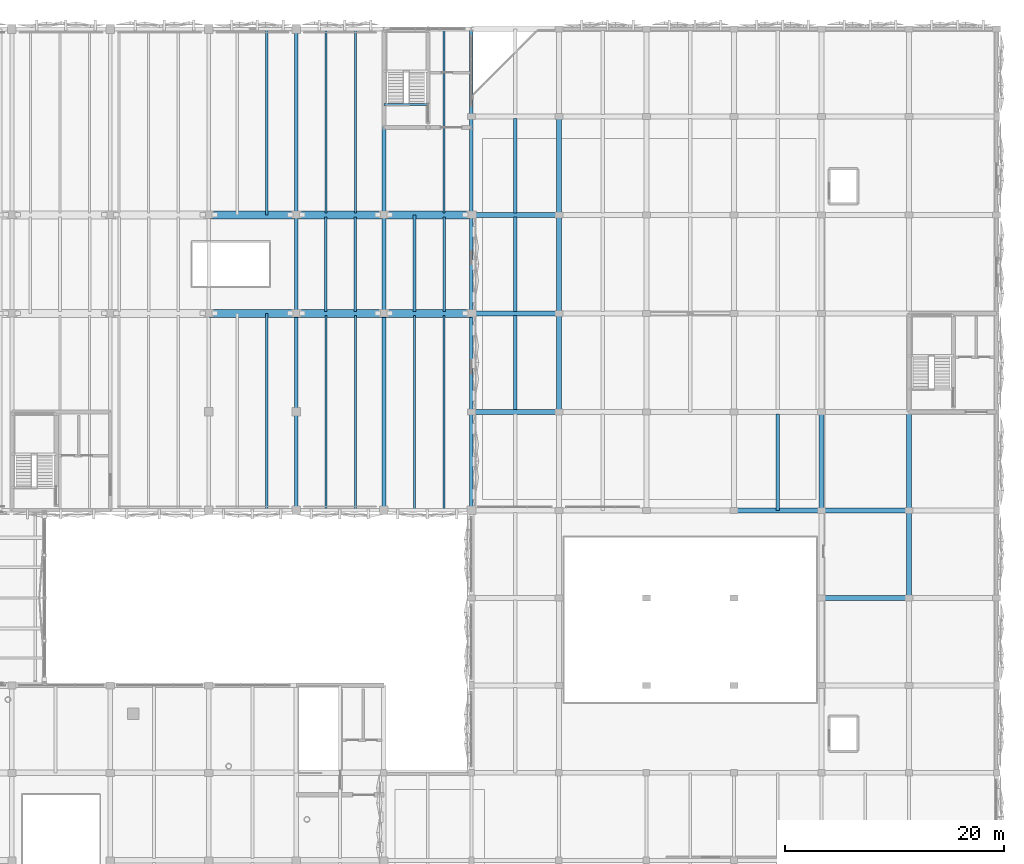
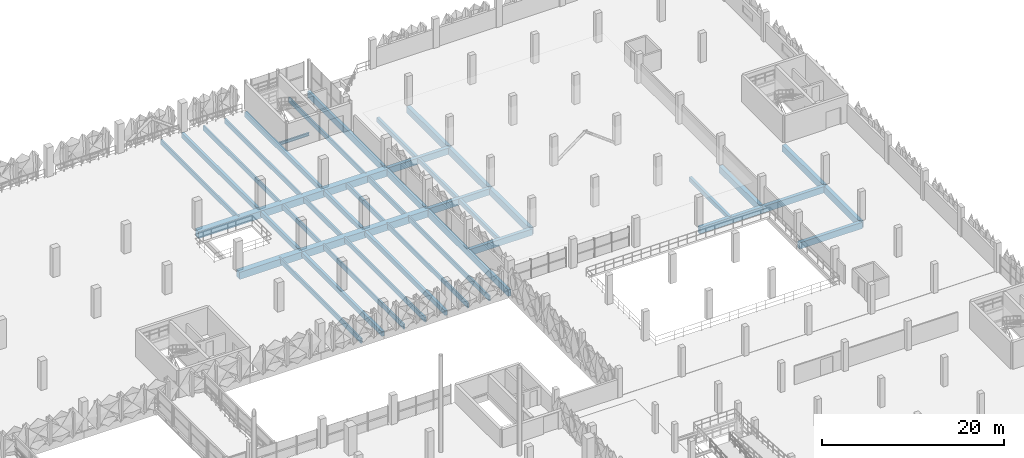
# One storey, part 53 of 123: 45 beams.
"""IFC4 building model written with IfcOpenShell, lengths in metres."""

from ifc_helpers import new_model, si_unit, derived_unit, direction, frame, origin, origin_2d, place, context, subcontext, project, spatial, rectangle, i_section, extrude, material, material_profile, profile_set, type_object, element, save


model = new_model("IFC4")

# Units and contexts
model_context = context("Model", 3, precision=1e-05, world=origin(), true_north=direction((0.0, 1.0)))
body_context = subcontext(model_context, "Body", "Model", "MODEL_VIEW")
ifc_project = project(units=[si_unit("LENGTHUNIT", "METRE"), si_unit("AREAUNIT", "SQUARE_METRE"), si_unit("VOLUMEUNIT", "CUBIC_METRE"), si_unit("PLANEANGLEUNIT", "RADIAN"), si_unit("MASSUNIT", "GRAM", prefix="KILO"), si_unit("THERMODYNAMICTEMPERATUREUNIT", "KELVIN"), derived_unit("THERMALTRANSMITTANCEUNIT", [(si_unit("POWERUNIT", "WATT"), 1), (si_unit("AREAUNIT", "SQUARE_METRE"), -1), (si_unit("THERMODYNAMICTEMPERATUREUNIT", "KELVIN"), -1)])], contexts=[model_context])

# Site, building, storey
site_placement = place(None, origin())
site = spatial("IfcSite", under=ifc_project, at=site_placement, CompositionType="ELEMENT")
building_placement = place(site_placement, origin())
building = spatial("IfcBuilding", under=site, at=building_placement, Name="Haiyu Intermodal Mobility Hub", CompositionType="ELEMENT")
storey_placement = place(building_placement, frame((0.0, 0.0, 5.60009765625)))
storey = spatial("IfcBuildingStorey", under=building, at=storey_placement, Name="L01", CompositionType="ELEMENT", Elevation=5.60009765625)

# Beams
ifc_material_1 = material(Name="Concrete C40", Category="concrete")
ifc_material_profile_1 = material_profile(ifc_material_1, rectangle(XDim=0.449951171875, YDim=0.85009765625, at=origin_2d()), Name="RCB450x850")
ifc_profile_set_1 = profile_set([ifc_material_profile_1], Name="Concrete C40")
beam_type_1 = type_object("IfcBeamType", Name="BM-CB02", PredefinedType="BEAM", material=ifc_profile_set_1)
for number, where, z_axis, x_axis, name in (
    (1, (194.0, 96.0, -0.68505859375), (1.0, 0.0, 0.0), (0.0, 1.0, 0.0), "BM-V6G-L01-017"),
    (2, (186.0, 104.0, -0.68505859375), (1.0, 0.0, 0.0), (0.0, 1.0, 0.0), "BM-V6G-L01-022"),
    (3, (194.0, 104.0, -0.68505859375), (1.0, 0.0, 0.0), (0.0, 1.0, 0.0), "BM-V6G-L01-023"),
    (4, (162.0, 113.0, -0.68505859375), (1.0, 0.0, 0.0), (0.0, 1.0, 0.0), "BM-V6G-L01-025"),
    (5, (162.0, 122.0, -0.68505859375), (1.0, 0.0, 0.0), (0.0, 1.0, 0.0), "BM-V6G-L01-031"),
    (6, (162.0, 131.0, -0.68505859375), (1.0, 0.0, 0.0), (0.0, 1.0, 0.0), "BM-V6G-L01-037"),
):
    element("IfcBeam", number, at=place(storey_placement, frame(where, z_axis=z_axis, x_axis=x_axis)), inside=storey, type_object=beam_type_1, Name=name, PredefinedType="BEAM", context=body_context, shape_type="SweptSolid", body=[
        extrude(rectangle(XDim=0.449951171875, YDim=0.85009765625, at=origin_2d()), origin(), (0.0, 0.0, 1.0), 8.0),
    ])
ifc_material_profile_2 = material_profile(ifc_material_1, rectangle(XDim=0.35009765625, YDim=0.64990234375, at=origin_2d()), Name="RCB350x650")
ifc_profile_set_2 = profile_set([ifc_material_profile_2], Name="Concrete C40")
beam_type_2 = type_object("IfcBeamType", Name="BM-CB04", PredefinedType="BEAM", material=ifc_profile_set_2)
beam_1_placement = place(storey_placement, frame((146.0, 104.0, -0.60009765625), z_axis=(0.0, 1.0, 0.0), x_axis=(-1.0, 0.0, 0.0)))
element("IfcBeam", 7, at=beam_1_placement, inside=storey, type_object=beam_type_2, Name="BM-V4E-L01-043", PredefinedType="BEAM", context=body_context, shape_type="SweptSolid", body=[
    extrude(rectangle(XDim=0.35009765625, YDim=0.64990234375, at=origin_2d()), origin(), (0.0, 0.0, 1.0), 18.0),
])
beam_2_placement = place(storey_placement, frame((146.0, 122.0, -0.60009765625), z_axis=(0.0, 1.0, 0.0), x_axis=(-1.0, 0.0, 0.0)))
element("IfcBeam", 8, at=beam_2_placement, inside=storey, type_object=beam_type_2, Name="BM-V4E-L01-044", PredefinedType="BEAM", context=body_context, shape_type="SweptSolid", body=[
    extrude(rectangle(XDim=0.35009765625, YDim=0.64990234375, at=origin_2d()), origin(), (0.0, 0.0, 1.0), 9.0),
])
beam_3_placement = place(storey_placement, frame((146.0, 131.0, -0.60009765625), z_axis=(0.0, 1.0, 0.0), x_axis=(-1.0, 0.0, 0.0)))
element("IfcBeam", 9, at=beam_3_placement, inside=storey, type_object=beam_type_2, Name="BM-V4E-L01-045", PredefinedType="BEAM", context=body_context, shape_type="SweptSolid", body=[
    extrude(rectangle(XDim=0.35009765625, YDim=0.64990234375, at=origin_2d()), origin(), (0.0, 0.0, 1.0), 17.0),
])
beam_4_placement = place(storey_placement, frame((154.0, 104.0, -0.60009765625), z_axis=(0.0, 1.0, 0.0), x_axis=(-1.0, 0.0, 0.0)))
element("IfcBeam", 10, at=beam_4_placement, inside=storey, type_object=beam_type_2, Name="BM-V4E-L01-046", PredefinedType="BEAM", context=body_context, shape_type="SweptSolid", body=[
    extrude(rectangle(XDim=0.35009765625, YDim=0.64990234375, at=origin_2d()), origin(), (0.0, 0.0, 1.0), 18.0),
])
beam_5_placement = place(storey_placement, frame((154.0, 122.0, -0.60009765625), z_axis=(0.0, 1.0, 0.0), x_axis=(-1.0, 0.0, 0.0)))
element("IfcBeam", 11, at=beam_5_placement, inside=storey, type_object=beam_type_2, Name="BM-V4E-L01-047", PredefinedType="BEAM", context=body_context, shape_type="SweptSolid", body=[
    extrude(rectangle(XDim=0.35009765625, YDim=0.64990234375, at=origin_2d()), origin(), (0.0, 0.0, 1.0), 9.0),
])
beam_6_placement = place(storey_placement, frame((154.0, 131.0, -0.60009765625), z_axis=(0.0, 1.0, 0.0), x_axis=(-1.0, 0.0, 0.0)))
element("IfcBeam", 12, at=beam_6_placement, inside=storey, type_object=beam_type_2, Name="BM-V4E-L01-048", PredefinedType="BEAM", context=body_context, shape_type="SweptSolid", body=[
    extrude(rectangle(XDim=0.35009765625, YDim=0.64990234375, at=origin_2d()), origin(), (0.0, 0.0, 1.0), 17.0),
])
ifc_material_profile_3 = material_profile(ifc_material_1, rectangle(XDim=0.47998046875, YDim=0.919921875, at=origin_2d()), Name="B480x920")
ifc_profile_set_3 = profile_set([ifc_material_profile_3], Name="Concrete C40")
beam_type_3 = type_object("IfcBeamType", Name="BM-CB13", PredefinedType="BEAM", material=ifc_profile_set_3)
for number, where, z_axis, x_axis, name in (
    (13, (170.0, 113.0, -0.72021484375), (0.0, 1.0, 0.0), (-1.0, 0.0, 0.0), "BM-V6T-L01-013"),
    (14, (170.0, 122.0, -0.72021484375), (0.0, 1.0, 0.0), (-1.0, 0.0, 0.0), "BM-V6T-L01-014"),
    (15, (170.0, 131.0, -0.72021484375), (0.0, 1.0, 0.0), (-1.0, 0.0, 0.0), "BM-V6T-L01-015"),
    (16, (194.0, 104.0, -0.72021484375), (0.0, 1.0, 0.0), (-1.0, 0.0, 0.0), "BM-V6T-L01-036"),
):
    element("IfcBeam", number, at=place(storey_placement, frame(where, z_axis=z_axis, x_axis=x_axis)), inside=storey, type_object=beam_type_3, Name=name, PredefinedType="BEAM", context=body_context, shape_type="SweptSolid", body=[
        extrude(rectangle(XDim=0.47998046875, YDim=0.919921875, at=origin_2d()), origin(), (0.0, 0.0, 1.0), 9.0),
    ])
beam_7_placement = place(storey_placement, frame((202.0, 96.0, -0.72021484375), z_axis=(0.0, 1.0, 0.0), x_axis=(-1.0, 0.0, 0.0)))
element("IfcBeam", 17, at=beam_7_placement, inside=storey, type_object=beam_type_3, Name="BM-V6T-L01-043", PredefinedType="BEAM", context=body_context, shape_type="SweptSolid", body=[
    extrude(rectangle(XDim=0.47998046875, YDim=0.919921875, at=origin_2d()), origin(), (0.0, 0.0, 1.0), 8.0),
])
beam_8_placement = place(storey_placement, frame((202.0, 104.0, -0.72021484375), z_axis=(0.0, 1.0, 0.0), x_axis=(-1.0, 0.0, 0.0)))
element("IfcBeam", 18, at=beam_8_placement, inside=storey, type_object=beam_type_3, Name="BM-V6T-L01-044", PredefinedType="BEAM", context=body_context, shape_type="SweptSolid", body=[
    extrude(rectangle(XDim=0.47998046875, YDim=0.919921875, at=origin_2d()), origin(), (0.0, 0.0, 1.0), 9.0),
])
ifc_material_profile_4 = material_profile(ifc_material_1, rectangle(XDim=0.320068359375, YDim=0.580078125, at=origin_2d()), Name="B320x580")
ifc_profile_set_4 = profile_set([ifc_material_profile_4], Name="Concrete C40")
beam_type_4 = type_object("IfcBeamType", Name="BM-CB17", PredefinedType="JOIST", material=ifc_profile_set_4)
for number, where, z_axis, x_axis, name in (
    (19, (166.0, 113.195068359375, -0.550048828125), (0.0, 1.0, 0.0), (-1.0, 0.0, 0.0), "BM-V6J-L01-005"),
    (20, (166.0, 122.195068359375, -0.550048828125), (0.0, 1.0, 0.0), (-1.0, 0.0, 0.0), "BM-V6J-L01-006"),
    (21, (166.0, 131.195068359375, -0.550048828125), (0.0, 1.0, 0.0), (-1.0, 0.0, 0.0), "BM-V6J-L01-007"),
):
    element("IfcBeam", number, at=place(storey_placement, frame(where, z_axis=z_axis, x_axis=x_axis)), inside=storey, type_object=beam_type_4, Name=name, PredefinedType="JOIST", context=body_context, shape_type="SweptSolid", body=[
        extrude(rectangle(XDim=0.320068359375, YDim=0.580078125, at=origin_2d()), origin(), (0.0, 0.0, 1.0), 8.60986328125),
    ])
beam_9_placement = place(storey_placement, frame((190.0, 104.0, -0.550048828125), z_axis=(0.0, 1.0, 0.0), x_axis=(-1.0, 0.0, 0.0)))
element("IfcBeam", 22, at=beam_9_placement, inside=storey, type_object=beam_type_4, Name="BM-V6J-L01-026", PredefinedType="JOIST", context=body_context, shape_type="SweptSolid", body=[
    extrude(rectangle(XDim=0.320068359375, YDim=0.580078125, at=origin_2d()), origin(), (0.0, 0.0, 1.0), 8.804931640625),
])
ifc_material_2 = material(Name="Precast concrete C50", Category="concrete")
ifc_material_profile_5 = material_profile(ifc_material_2, rectangle(XDim=0.199951171875, YDim=0.659912109375, at=origin_2d()), Name="PC200x660")
ifc_profile_set_5 = profile_set([ifc_material_profile_5], Name="Precast concrete C50")
beam_type_5 = type_object("IfcBeamType", Name="BM-DT03", PredefinedType="JOIST", material=ifc_profile_set_5)
beam_10_placement = place(storey_placement, frame((143.300048828125, 104.0, -0.60498046875), z_axis=(0.0, 1.0, 0.0), x_axis=(-1.0, 0.0, 0.0)))
element("IfcBeam", 23, at=beam_10_placement, inside=storey, type_object=beam_type_5, Name="BM-DT-L01-100", PredefinedType="JOIST", context=body_context, shape_type="SweptSolid", body=[
    extrude(rectangle(XDim=0.199951171875, YDim=0.659912109375, at=origin_2d()), origin(), (0.0, 0.0, 1.0), 18.0),
])
beam_11_placement = place(storey_placement, frame((143.300048828125, 131.0, -0.60498046875), z_axis=(0.0, 1.0, 0.0), x_axis=(-1.0, 0.0, 0.0)))
element("IfcBeam", 24, at=beam_11_placement, inside=storey, type_object=beam_type_5, Name="BM-DT-L01-101", PredefinedType="JOIST", context=body_context, shape_type="SweptSolid", body=[
    extrude(rectangle(XDim=0.199951171875, YDim=0.659912109375, at=origin_2d()), origin(), (0.0, 0.0, 1.0), 17.0),
])
beam_12_placement = place(storey_placement, frame((148.699951171875, 104.0, -0.60498046875), z_axis=(0.0, 1.0, 0.0), x_axis=(-1.0, 0.0, 0.0)))
element("IfcBeam", 25, at=beam_12_placement, inside=storey, type_object=beam_type_5, Name="BM-DT-L01-102", PredefinedType="JOIST", context=body_context, shape_type="SweptSolid", body=[
    extrude(rectangle(XDim=0.199951171875, YDim=0.659912109375, at=origin_2d()), origin(), (0.0, 0.0, 1.0), 17.804931640625),
])
beam_13_placement = place(storey_placement, frame((148.699951171875, 131.195068359375, -0.60498046875), z_axis=(0.0, 1.0, 0.0), x_axis=(-1.0, 0.0, 0.0)))
element("IfcBeam", 26, at=beam_13_placement, inside=storey, type_object=beam_type_5, Name="BM-DT-L01-104", PredefinedType="JOIST", context=body_context, shape_type="SweptSolid", body=[
    extrude(rectangle(XDim=0.199951171875, YDim=0.659912109375, at=origin_2d()), origin(), (0.0, 0.0, 1.0), 16.804931640625),
])
beam_14_placement = place(storey_placement, frame((151.39990234375, 104.0, -0.60498046875), z_axis=(0.0, 1.0, 0.0), x_axis=(-1.0, 0.0, 0.0)))
element("IfcBeam", 27, at=beam_14_placement, inside=storey, type_object=beam_type_5, Name="BM-DT-L01-105", PredefinedType="JOIST", context=body_context, shape_type="SweptSolid", body=[
    extrude(rectangle(XDim=0.199951171875, YDim=0.659912109375, at=origin_2d()), origin(), (0.0, 0.0, 1.0), 17.804931640625),
])
beam_15_placement = place(storey_placement, frame((151.39990234375, 131.195068359375, -0.60498046875), z_axis=(0.0, 1.0, 0.0), x_axis=(-1.0, 0.0, 0.0)))
element("IfcBeam", 28, at=beam_15_placement, inside=storey, type_object=beam_type_5, Name="BM-DT-L01-107", PredefinedType="JOIST", context=body_context, shape_type="SweptSolid", body=[
    extrude(rectangle(XDim=0.199951171875, YDim=0.659912109375, at=origin_2d()), origin(), (0.0, 0.0, 1.0), 16.804931640625),
])
for number, where, z_axis, x_axis, name in (
    (29, (156.800048828125, 104.0, -0.60498046875), (0.0, 1.0, 0.0), (-1.0, 0.0, 0.0), "BM-DT-L01-108"),
    (30, (159.5, 104.0, -0.60498046875), (0.0, 1.0, 0.0), (-1.0, 0.0, 0.0), "BM-DT-L01-111"),
):
    element("IfcBeam", number, at=place(storey_placement, frame(where, z_axis=z_axis, x_axis=x_axis)), inside=storey, type_object=beam_type_5, Name=name, PredefinedType="JOIST", context=body_context, shape_type="SweptSolid", body=[
        extrude(rectangle(XDim=0.199951171875, YDim=0.659912109375, at=origin_2d()), origin(), (0.0, 0.0, 1.0), 17.804931640625),
    ])
beam_16_placement = place(storey_placement, frame((159.5, 131.195068359375, -0.60498046875), z_axis=(0.0, 1.0, 0.0), x_axis=(-1.0, 0.0, 0.0)))
element("IfcBeam", 31, at=beam_16_placement, inside=storey, type_object=beam_type_5, Name="BM-DT-L01-113", PredefinedType="JOIST", context=body_context, shape_type="SweptSolid", body=[
    extrude(rectangle(XDim=0.199951171875, YDim=0.659912109375, at=origin_2d()), origin(), (0.0, 0.0, 1.0), 16.804931640625),
])
ifc_material_profile_6 = material_profile(ifc_material_2, rectangle(XDim=0.22998046875, YDim=0.68994140625, at=origin_2d()), Name="B230x690")
ifc_profile_set_6 = profile_set([ifc_material_profile_6], Name="Precast concrete C50")
beam_type_6 = type_object("IfcBeamType", Name="BM-DT06", PredefinedType="JOIST", material=ifc_profile_set_6)
for number, where, z_axis, x_axis, name in (
    (32, (148.699951171875, 122.195068359375, -0.6201171875), (0.0, 1.0, 0.0), (-1.0, 0.0, 0.0), "BM-DT-L01-103"),
    (33, (151.39990234375, 122.195068359375, -0.6201171875), (0.0, 1.0, 0.0), (-1.0, 0.0, 0.0), "BM-DT-L01-106"),
):
    element("IfcBeam", number, at=place(storey_placement, frame(where, z_axis=z_axis, x_axis=x_axis)), inside=storey, type_object=beam_type_6, Name=name, PredefinedType="JOIST", context=body_context, shape_type="SweptSolid", body=[
        extrude(rectangle(XDim=0.22998046875, YDim=0.68994140625, at=origin_2d()), origin(), (0.0, 0.0, 1.0), 8.60986328125),
    ])
beam_17_placement = place(storey_placement, frame((156.800048828125, 122.195068359375, -0.6201171875), z_axis=(0.0, 1.0, 0.0), x_axis=(-1.0, 0.0, 0.0)))
element("IfcBeam", 34, at=beam_17_placement, inside=storey, type_object=beam_type_6, Name="BM-DT-L01-109", PredefinedType="JOIST", context=body_context, shape_type="SweptSolid", body=[
    extrude(rectangle(XDim=0.22998046875, YDim=0.68994140625, at=origin_2d()), origin(), (0.0, 0.0, 1.0), 8.804931640625),
])
beam_18_placement = place(storey_placement, frame((159.5, 122.195068359375, -0.6201171875), z_axis=(0.0, 1.0, 0.0), x_axis=(-1.0, 0.0, 0.0)))
element("IfcBeam", 35, at=beam_18_placement, inside=storey, type_object=beam_type_6, Name="BM-DT-L01-112", PredefinedType="JOIST", context=body_context, shape_type="SweptSolid", body=[
    extrude(rectangle(XDim=0.22998046875, YDim=0.68994140625, at=origin_2d()), origin(), (0.0, 0.0, 1.0), 8.60986328125),
])
ifc_material_profile_7 = material_profile(ifc_material_2, rectangle(XDim=0.75, YDim=0.949951171875, at=origin_2d()), Name="PC750x950")
ifc_profile_set_7 = profile_set([ifc_material_profile_7], Name="Precast concrete C50")
beam_type_7 = type_object("IfcBeamType", Name="BM-IT01", PredefinedType="T_BEAM", material=ifc_profile_set_7)
for number, where, z_axis, x_axis, name in (
    (36, (138.0, 122.0, -0.75), (1.0, 0.0, 0.0), (0.0, 1.0, 0.0), "BM-V4G-L01-030"),
    (37, (146.0, 122.0, -0.75), (1.0, 0.0, 0.0), (0.0, 1.0, 0.0), "BM-V4G-L01-031"),
    (38, (154.0, 122.0, -0.75), (1.0, 0.0, 0.0), (0.0, 1.0, 0.0), "BM-V4G-L01-032"),
    (39, (138.0, 131.0, -0.75), (1.0, 0.0, 0.0), (0.0, 1.0, 0.0), "BM-V4G-L01-046"),
    (40, (146.0, 131.0, -0.75), (1.0, 0.0, 0.0), (0.0, 1.0, 0.0), "BM-V4G-L01-047"),
    (41, (154.0, 131.0, -0.75), (1.0, 0.0, 0.0), (0.0, 1.0, 0.0), "BM-V4G-L01-048"),
):
    element("IfcBeam", number, at=place(storey_placement, frame(where, z_axis=z_axis, x_axis=x_axis)), inside=storey, type_object=beam_type_7, Name=name, PredefinedType="T_BEAM", context=body_context, shape_type="SweptSolid", body=[
        extrude(rectangle(XDim=0.75, YDim=0.949951171875, at=origin_2d()), origin(), (0.0, 0.0, 1.0), 8.0),
    ])
ifc_material_3 = material(Name="Steel Q355C", Category="steel")
ifc_material_profile_8 = material_profile(ifc_material_3, i_section(OverallWidth=0.199951171875, OverallDepth=0.39990234375, WebThickness=0.008056640625, FlangeThickness=0.012939453125, FilletRadius=0.01611328125, at=origin_2d()), Name="HN400x200x8x13")
ifc_profile_set_8 = profile_set([ifc_material_profile_8], Name="Steel Q355C")
beam_type_8 = type_object("IfcBeamType", Name="BM-SB08", PredefinedType="JOIST", material=ifc_profile_set_8)
beam_19_placement = place(storey_placement, frame((154.0, 141.10009765625, -0.525146484375), z_axis=(1.0, 0.0, 0.0), x_axis=(0.0, 1.0, 0.0)))
element("IfcBeam", 42, at=beam_19_placement, inside=storey, type_object=beam_type_8, Name="Stair Arrival Trimmer Beam C4-L00", PredefinedType="JOIST", context=body_context, shape_type="SweptSolid", body=[
    extrude(i_section(OverallWidth=0.199951171875, OverallDepth=0.39990234375, WebThickness=0.008056640625, FlangeThickness=0.012939453125, FilletRadius=0.01611328125, at=origin_2d()), origin(), (0.0, 0.0, 1.0), 4.050048828125),
])
ifc_material_4 = material(Name="Precast concrete C40", Category="concrete")
ifc_material_profile_9 = material_profile(ifc_material_4, rectangle(XDim=0.340087890625, YDim=0.89990234375, at=origin_2d()), Name="B340x900")
ifc_profile_set_9 = profile_set([ifc_material_profile_9], Name="Precast concrete C40")
beam_type_9 = type_object("IfcBeamType", Name="BM-SP04", PredefinedType="SPANDREL", material=ifc_profile_set_9)
beam_20_placement = place(storey_placement, frame((162.0, 104.0, -0.72509765625), z_axis=(0.0, 1.0, 0.0), x_axis=(-1.0, 0.0, 0.0)))
element("IfcBeam", 43, at=beam_20_placement, inside=storey, type_object=beam_type_9, Name="BM-V4E-L01-049", PredefinedType="SPANDREL", context=body_context, shape_type="SweptSolid", body=[
    extrude(rectangle(XDim=0.340087890625, YDim=0.89990234375, at=origin_2d()), origin(), (0.0, 0.0, 1.0), 18.0),
])
beam_21_placement = place(storey_placement, frame((162.0, 122.0, -0.72509765625), z_axis=(0.0, 1.0, 0.0), x_axis=(-1.0, 0.0, 0.0)))
element("IfcBeam", 44, at=beam_21_placement, inside=storey, type_object=beam_type_9, Name="BM-V4E-L01-050", PredefinedType="SPANDREL", context=body_context, shape_type="SweptSolid", body=[
    extrude(rectangle(XDim=0.340087890625, YDim=0.89990234375, at=origin_2d()), origin(), (0.0, 0.0, 1.0), 9.0),
])
beam_22_placement = place(storey_placement, frame((162.0, 131.0, -0.72509765625), z_axis=(0.0, 1.0, 0.0), x_axis=(-1.0, 0.0, 0.0)))
element("IfcBeam", 45, at=beam_22_placement, inside=storey, type_object=beam_type_9, Name="BM-V4E-L01-051", PredefinedType="SPANDREL", context=body_context, shape_type="SweptSolid", body=[
    extrude(rectangle(XDim=0.340087890625, YDim=0.89990234375, at=origin_2d()), origin(), (0.0, 0.0, 1.0), 17.0),
])

save(model, "model.ifc")
